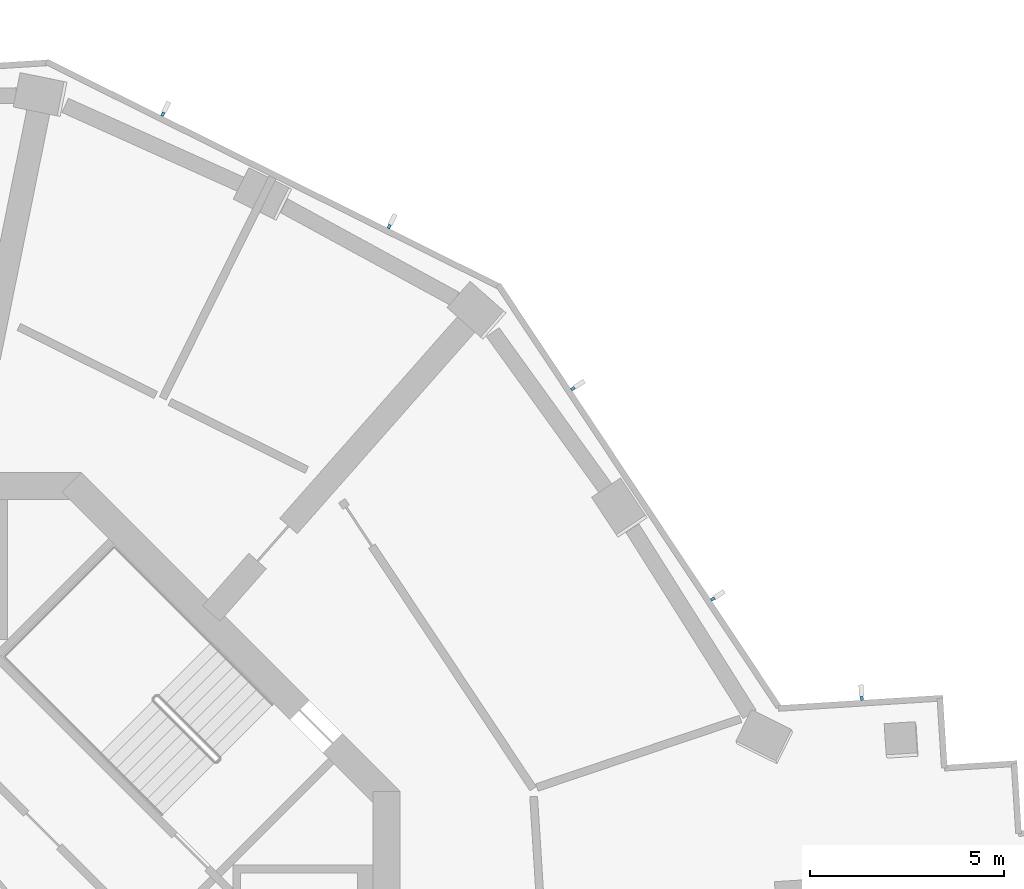
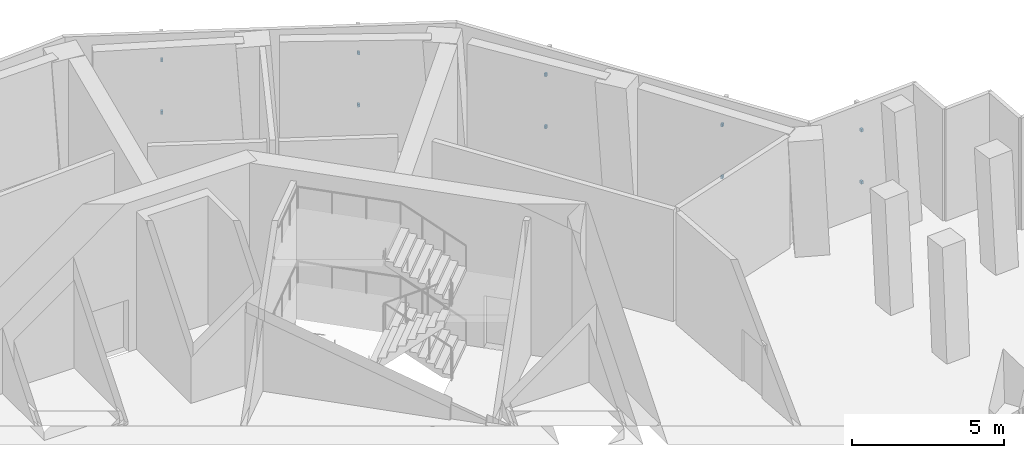
# One storey, part 10 of 16: 10 discrete accessories.
"""IFC4 building model written with IfcOpenShell, lengths in metres."""

from ifc_helpers import new_model, si_unit, direction, frame, origin, origin_2d, place, context, subcontext, project, spatial, rectangle, extrude, element, save


model = new_model("IFC4")

# Units and contexts
model_context = context("Model", 3, precision=1e-05, world=origin(), true_north=direction((0.0, 1.0)))
body_context = subcontext(model_context, "Body", "Model", "MODEL_VIEW")
ifc_project = project(units=[si_unit("LENGTHUNIT", "METRE"), si_unit("AREAUNIT", "SQUARE_METRE"), si_unit("VOLUMEUNIT", "CUBIC_METRE"), si_unit("PLANEANGLEUNIT", "RADIAN"), si_unit("MASSUNIT", "GRAM", prefix="KILO")], contexts=[model_context])

# Site, building, storey
site_placement = place(None, origin())
site = spatial("IfcSite", under=ifc_project, at=site_placement, CompositionType="ELEMENT")
building_placement = place(site_placement, origin())
building = spatial("IfcBuilding", under=site, at=building_placement, Name="Verdalira Terraces Hotel", CompositionType="ELEMENT")
storey_placement = place(building_placement, frame((0.0, 0.0, 169.0)))
storey = spatial("IfcBuildingStorey", under=building, at=storey_placement, Name="L41", CompositionType="ELEMENT", Elevation=169.0)

# Discrete accessories
for number, where, z_axis, x_axis, name in (
    (1, (25.878174, 8.191162, 1.139893), (0.0, 0.0, 1.0), (-0.998026728, -0.06279052, 0.0), "Fin bracket"),
    (2, (25.878174, 8.191162, 3.23999), (0.0, 0.0, 1.0), (-0.998026728, -0.06279052, 0.0), "Fin bracket"),
    (3, (22.04541, 10.745117, 1.139893), (0.0, 0.0, 1.0), (-0.553391549, 0.832921241, 0.0), "Fin bracket"),
    (4, (22.04541, 10.745117, 3.23999), (0.0, 0.0, 1.0), (-0.553391549, 0.832921241, 0.0), "Fin bracket"),
    (5, (18.448486, 16.158936, 1.139893), (0.0, 0.0, 1.0), (-0.553391549, 0.832921241, 0.0), "Fin bracket"),
    (6, (18.448486, 16.158936, 3.23999), (0.0, 0.0, 1.0), (-0.553391549, 0.832921241, 0.0), "Fin bracket"),
    (7, (13.719482, 20.328125, 1.139893), (0.0, 0.0, 1.0), (-0.89571176, 0.444635179, 0.0), "Fin bracket"),
    (8, (13.719482, 20.328125, 3.23999), (0.0, 0.0, 1.0), (-0.89571176, 0.444635179, 0.0), "Fin bracket"),
    (9, (7.897217, 23.218262, 1.139893), (0.0, 0.0, 1.0), (-0.89571176, 0.444635179, 0.0), "Fin bracket"),
    (10, (7.897217, 23.218262, 3.23999), (0.0, 0.0, 1.0), (-0.89571176, 0.444635179, 0.0), "Fin bracket"),
):
    element("IfcDiscreteAccessory", number, at=place(storey_placement, frame(where, z_axis=z_axis, x_axis=x_axis)), inside=storey, Name=name, PredefinedType="BRACKET", context=body_context, shape_type="SweptSolid", body=[
        extrude(rectangle(XDim=0.080078, YDim=0.100098, at=origin_2d()), origin(), (0.0, 0.0, 1.0), 0.120117),
    ])

save(model, "model.ifc")
